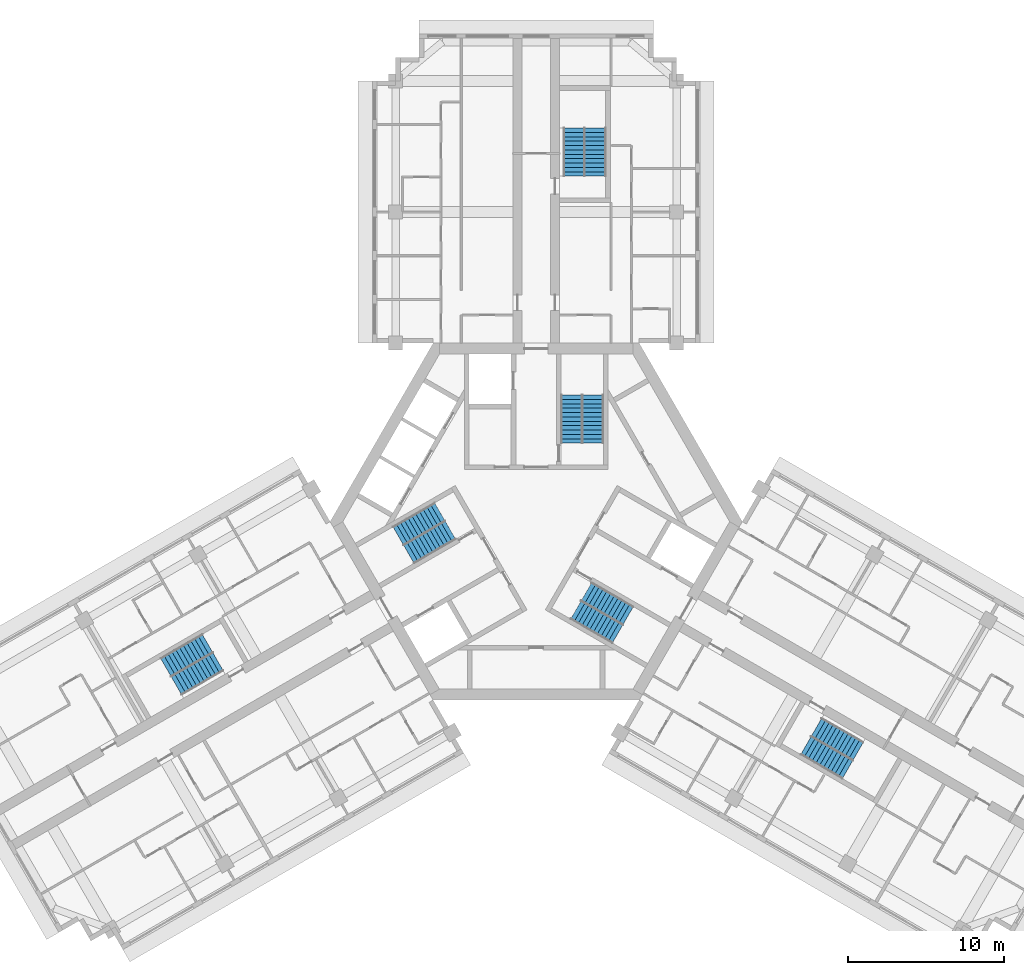
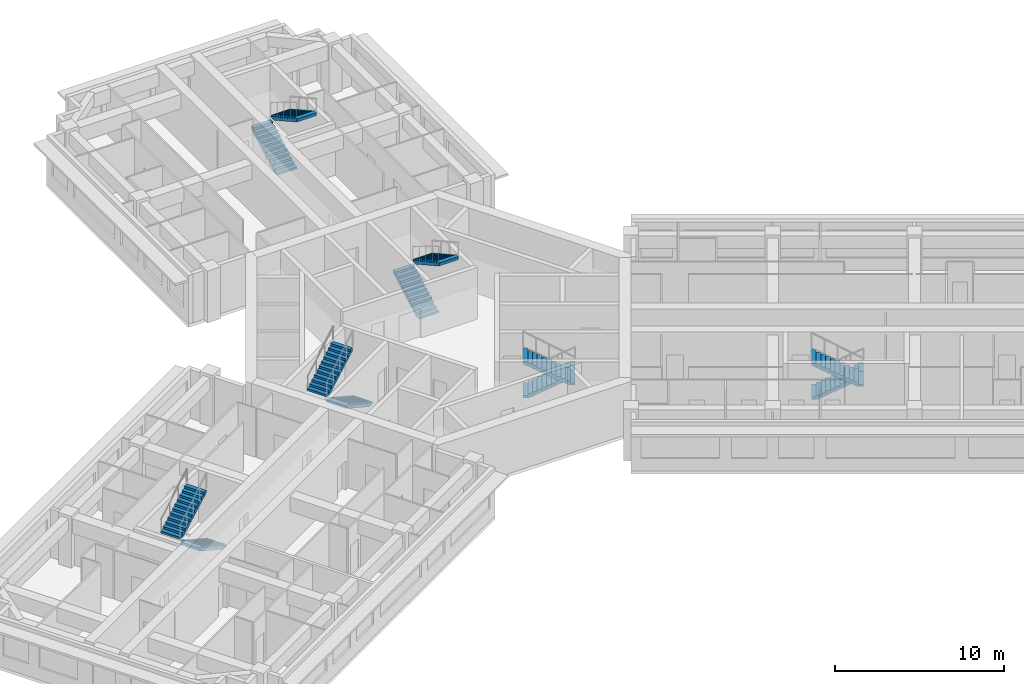
# One storey, part 10 of 11: 12 stair flights, 6 elements without a shape of their own.
"""IFC4 building model written with IfcOpenShell, lengths in metres."""

from ifc_helpers import new_model, si_unit, direction, frame, origin, place, context, subcontext, project, spatial, polyline, outline, extrude, material, type_object, element, aggregate, save


model = new_model("IFC4")

# Units and contexts
model_context = context("Model", 3, precision=1e-05, world=origin(), true_north=direction((0.0, 1.0)))
body_context = subcontext(model_context, "Body", "Model", "MODEL_VIEW")
ifc_project = project(units=[si_unit("LENGTHUNIT", "METRE"), si_unit("AREAUNIT", "SQUARE_METRE"), si_unit("VOLUMEUNIT", "CUBIC_METRE"), si_unit("PLANEANGLEUNIT", "RADIAN"), si_unit("MASSUNIT", "GRAM", prefix="KILO")], contexts=[model_context])

# Site, building, storey
site_placement = place(None, origin())
site = spatial("IfcSite", under=ifc_project, at=site_placement, CompositionType="ELEMENT")
building_placement = place(site_placement, origin())
building = spatial("IfcBuilding", under=site, at=building_placement, Name="Impinga Residences", CompositionType="ELEMENT")
storey_placement = place(building_placement, frame((0.0, 0.0, 203.5)))
storey = spatial("IfcBuildingStorey", under=building, at=storey_placement, Name="L50", CompositionType="ELEMENT", Elevation=203.5)

# Stair, stair flights
ifc_material = material(Name="Concrete C40/50", Category="concrete")
stair_type_1 = type_object("IfcStairType", Name="STR core stair 3750 storey, 24 risers", PredefinedType="HALF_TURN_STAIR", material=ifc_material)
stair_1_placement = place(storey_placement, origin())
stair_1 = element("IfcStair", 1, at=stair_1_placement, inside=storey, type_object=stair_type_1, Name="Stair ST1 L50", PredefinedType="HALF_TURN_STAIR")
stair_flight_type = type_object("IfcStairFlightType", Name="SF 12 risers of 156", PredefinedType="STRAIGHT", material=ifc_material)
stair_flight_1_placement = place(storey_placement, frame((2.27490234375, 5.030029296875, 0.0), z_axis=(0.0, 0.0, 1.0), x_axis=(0.0, 1.0, 0.0)))
stair_flight_1 = element("IfcStairFlight", 2, at=stair_flight_1_placement, type_object=stair_flight_type, Name="ST1 flight 1", NumberOfRisers=12, NumberOfTreads=11, PredefinedType="STRAIGHT", RiserHeight=0.15625, TreadLength=0.28, context=body_context, shape_type="SweptSolid", body=[
    extrude(outline(polyline([(0.0, 0.0), (0.0, 0.15625), (0.280029296875, 0.15625), (0.280029296875, 0.3125), (0.56005859375, 0.3125), (0.56005859375, 0.46875), (0.840087890625, 0.46875), (0.840087890625, 0.625), (1.1201171875, 0.625), (1.1201171875, 0.78125), (1.39990234375, 0.78125), (1.39990234375, 0.9375), (1.679931640625, 0.9375), (1.679931640625, 1.09375), (1.9599609375, 1.09375), (1.9599609375, 1.25), (2.239990234375, 1.25), (2.239990234375, 1.40625), (2.52001953125, 1.40625), (2.52001953125, 1.5625), (2.800048828125, 1.5625), (2.800048828125, 1.71875), (3.080078125, 1.71875), (3.080078125, 1.875), (3.080078125, 1.5126953125), (0.369140625, 0.0), (0.0, 0.0)])), frame((0.0, 0.675048828125, 0.0), z_axis=(0.0, -1.0, 0.0), x_axis=(1.0, 0.0, 0.0)), (0.0, 0.0, 1.0), 1.35009765625),
])
stair_flight_2_placement = place(storey_placement, frame((3.625, 8.110107421875, 1.875), z_axis=(0.0, 0.0, 1.0), x_axis=(0.0, -1.0, 0.0)))
stair_flight_2 = element("IfcStairFlight", 3, at=stair_flight_2_placement, type_object=stair_flight_type, Name="ST1 flight 2", NumberOfRisers=12, NumberOfTreads=11, PredefinedType="STRAIGHT", RiserHeight=0.15625, TreadLength=0.28, context=body_context, shape_type="SweptSolid", body=[
    extrude(outline(polyline([(0.0, 0.0), (0.0, 0.15625), (0.280029296875, 0.15625), (0.280029296875, 0.3125), (0.56005859375, 0.3125), (0.56005859375, 0.46875), (0.840087890625, 0.46875), (0.840087890625, 0.625), (1.1201171875, 0.625), (1.1201171875, 0.78125), (1.39990234375, 0.78125), (1.39990234375, 0.9375), (1.679931640625, 0.9375), (1.679931640625, 1.09375), (1.9599609375, 1.09375), (1.9599609375, 1.25), (2.239990234375, 1.25), (2.239990234375, 1.40625), (2.52001953125, 1.40625), (2.52001953125, 1.5625), (2.800048828125, 1.5625), (2.800048828125, 1.71875), (3.080078125, 1.71875), (3.080078125, 1.875), (3.080078125, 1.5126953125), (0.369140625, 0.0), (0.0, 0.0)])), frame((0.0, 0.675048828125, 0.0), z_axis=(0.0, -1.0, 0.0), x_axis=(1.0, 0.0, 0.0)), (0.0, 0.0, 1.0), 1.35009765625),
])
aggregate(stair_1, [stair_flight_1, stair_flight_2])

stair_2_placement = place(storey_placement, origin())
stair_2 = element("IfcStair", 4, at=stair_2_placement, inside=storey, type_object=stair_type_1, Name="Stair ST2 L50", PredefinedType="HALF_TURN_STAIR")
stair_flight_3_placement = place(storey_placement, frame((-5.49365234375, -0.544677734375, 0.0), z_axis=(0.0, 0.0, 1.0), x_axis=(-0.866025403784, -0.5, 0.0)))
stair_flight_3 = element("IfcStairFlight", 5, at=stair_flight_3_placement, type_object=stair_flight_type, Name="ST2 flight 1", NumberOfRisers=12, NumberOfTreads=11, PredefinedType="STRAIGHT", RiserHeight=0.15625, TreadLength=0.28, context=body_context, shape_type="SweptSolid", body=[
    extrude(outline(polyline([(0.0, 0.0), (0.0, 0.15625), (0.280029296875, 0.15625), (0.280029296875, 0.3125), (0.56005859375, 0.3125), (0.56005859375, 0.46875), (0.840087890625, 0.46875), (0.840087890625, 0.625), (1.1201171875, 0.625), (1.1201171875, 0.78125), (1.39990234375, 0.78125), (1.39990234375, 0.9375), (1.679931640625, 0.9375), (1.679931640625, 1.09375), (1.9599609375, 1.09375), (1.9599609375, 1.25), (2.239990234375, 1.25), (2.239990234375, 1.40625), (2.52001953125, 1.40625), (2.52001953125, 1.5625), (2.800048828125, 1.5625), (2.800048828125, 1.71875), (3.080078125, 1.71875), (3.080078125, 1.875), (3.080078125, 1.5126953125), (0.369140625, 0.0), (0.0, 0.0)])), frame((0.0, 0.675048828125, 0.0), z_axis=(0.0, -1.0, 0.0), x_axis=(1.0, 0.0, 0.0)), (0.0, 0.0, 1.0), 1.35009765625),
])
stair_flight_4_placement = place(storey_placement, frame((-8.8359375, -0.915771484375, 1.875), z_axis=(0.0, 0.0, 1.0), x_axis=(0.866025403784, 0.5, 0.0)))
stair_flight_4 = element("IfcStairFlight", 6, at=stair_flight_4_placement, type_object=stair_flight_type, Name="ST2 flight 2", NumberOfRisers=12, NumberOfTreads=11, PredefinedType="STRAIGHT", RiserHeight=0.15625, TreadLength=0.28, context=body_context, shape_type="SweptSolid", body=[
    extrude(outline(polyline([(0.0, 0.0), (0.0, 0.15625), (0.280029296875, 0.15625), (0.280029296875, 0.3125), (0.56005859375, 0.3125), (0.56005859375, 0.46875), (0.840087890625, 0.46875), (0.840087890625, 0.625), (1.1201171875, 0.625), (1.1201171875, 0.78125), (1.39990234375, 0.78125), (1.39990234375, 0.9375), (1.679931640625, 0.9375), (1.679931640625, 1.09375), (1.9599609375, 1.09375), (1.9599609375, 1.25), (2.239990234375, 1.25), (2.239990234375, 1.40625), (2.52001953125, 1.40625), (2.52001953125, 1.5625), (2.800048828125, 1.5625), (2.800048828125, 1.71875), (3.080078125, 1.71875), (3.080078125, 1.875), (3.080078125, 1.5126953125), (0.369140625, 0.0), (0.0, 0.0)])), frame((0.0, 0.675048828125, 0.0), z_axis=(0.0, -1.0, 0.0), x_axis=(1.0, 0.0, 0.0)), (0.0, 0.0, 1.0), 1.35009765625),
])
aggregate(stair_2, [stair_flight_3, stair_flight_4])

stair_3_placement = place(storey_placement, origin())
stair_3 = element("IfcStair", 7, at=stair_3_placement, inside=storey, type_object=stair_type_1, Name="Stair ST3 L50", PredefinedType="HALF_TURN_STAIR")
stair_flight_5_placement = place(storey_placement, frame((3.218505859375, -4.485107421875, 0.0), z_axis=(0.0, 0.0, 1.0), x_axis=(0.866025403784, -0.5, 0.0)))
stair_flight_5 = element("IfcStairFlight", 8, at=stair_flight_5_placement, type_object=stair_flight_type, Name="ST3 flight 1", NumberOfRisers=12, NumberOfTreads=11, PredefinedType="STRAIGHT", RiserHeight=0.15625, TreadLength=0.28, context=body_context, shape_type="SweptSolid", body=[
    extrude(outline(polyline([(0.0, 0.0), (0.0, 0.15625), (0.280029296875, 0.15625), (0.280029296875, 0.3125), (0.56005859375, 0.3125), (0.56005859375, 0.46875), (0.840087890625, 0.46875), (0.840087890625, 0.625), (1.1201171875, 0.625), (1.1201171875, 0.78125), (1.39990234375, 0.78125), (1.39990234375, 0.9375), (1.679931640625, 0.9375), (1.679931640625, 1.09375), (1.9599609375, 1.09375), (1.9599609375, 1.25), (2.239990234375, 1.25), (2.239990234375, 1.40625), (2.52001953125, 1.40625), (2.52001953125, 1.5625), (2.800048828125, 1.5625), (2.800048828125, 1.71875), (3.080078125, 1.71875), (3.080078125, 1.875), (3.080078125, 1.5126953125), (0.369140625, 0.0), (0.0, 0.0)])), frame((0.0, 0.675048828125, 0.0), z_axis=(0.0, -1.0, 0.0), x_axis=(1.0, 0.0, 0.0)), (0.0, 0.0, 1.0), 1.35009765625),
])
stair_flight_6_placement = place(storey_placement, frame((5.2109375, -7.1943359375, 1.875), z_axis=(0.0, 0.0, 1.0), x_axis=(-0.866025403784, 0.5, 0.0)))
stair_flight_6 = element("IfcStairFlight", 9, at=stair_flight_6_placement, type_object=stair_flight_type, Name="ST3 flight 2", NumberOfRisers=12, NumberOfTreads=11, PredefinedType="STRAIGHT", RiserHeight=0.15625, TreadLength=0.28, context=body_context, shape_type="SweptSolid", body=[
    extrude(outline(polyline([(0.0, 0.0), (0.0, 0.15625), (0.280029296875, 0.15625), (0.280029296875, 0.3125), (0.56005859375, 0.3125), (0.56005859375, 0.46875), (0.840087890625, 0.46875), (0.840087890625, 0.625), (1.1201171875, 0.625), (1.1201171875, 0.78125), (1.39990234375, 0.78125), (1.39990234375, 0.9375), (1.679931640625, 0.9375), (1.679931640625, 1.09375), (1.9599609375, 1.09375), (1.9599609375, 1.25), (2.239990234375, 1.25), (2.239990234375, 1.40625), (2.52001953125, 1.40625), (2.52001953125, 1.5625), (2.800048828125, 1.5625), (2.800048828125, 1.71875), (3.080078125, 1.71875), (3.080078125, 1.875), (3.080078125, 1.5126953125), (0.369140625, 0.0), (0.0, 0.0)])), frame((0.0, 0.675048828125, 0.0), z_axis=(0.0, -1.0, 0.0), x_axis=(1.0, 0.0, 0.0)), (0.0, 0.0, 1.0), 1.35009765625),
])
aggregate(stair_3, [stair_flight_5, stair_flight_6])

stair_type_2 = type_object("IfcStairType", Name="STR wing stair 3750 storey, 24 risers", PredefinedType="HALF_TURN_STAIR", material=ifc_material)
stair_4_placement = place(storey_placement, origin())
stair_4 = element("IfcStair", 10, at=stair_4_placement, inside=storey, type_object=stair_type_2, Name="Stair WS1 L50", PredefinedType="HALF_TURN_STAIR")
stair_flight_7_placement = place(storey_placement, frame((2.425048828125, 22.131591796875, 0.0), z_axis=(0.0, 0.0, 1.0), x_axis=(0.0, 1.0, 0.0)))
stair_flight_7 = element("IfcStairFlight", 11, at=stair_flight_7_placement, type_object=stair_flight_type, Name="WS1 flight 1", NumberOfRisers=12, NumberOfTreads=11, PredefinedType="STRAIGHT", RiserHeight=0.15625, TreadLength=0.28, context=body_context, shape_type="SweptSolid", body=[
    extrude(outline(polyline([(0.0, 0.0), (0.0, 0.15625), (0.280029296875, 0.15625), (0.280029296875, 0.3125), (0.56005859375, 0.3125), (0.56005859375, 0.46875), (0.840087890625, 0.46875), (0.840087890625, 0.625), (1.1201171875, 0.625), (1.1201171875, 0.78125), (1.39990234375, 0.78125), (1.39990234375, 0.9375), (1.679931640625, 0.9375), (1.679931640625, 1.09375), (1.9599609375, 1.09375), (1.9599609375, 1.25), (2.239990234375, 1.25), (2.239990234375, 1.40625), (2.52001953125, 1.40625), (2.52001953125, 1.5625), (2.800048828125, 1.5625), (2.800048828125, 1.71875), (3.080078125, 1.71875), (3.080078125, 1.875), (3.080078125, 1.5126953125), (0.369140625, 0.0), (0.0, 0.0)])), frame((0.0, 0.675048828125, 0.0), z_axis=(0.0, -1.0, 0.0), x_axis=(1.0, 0.0, 0.0)), (0.0, 0.0, 1.0), 1.35009765625),
])
stair_flight_8_placement = place(storey_placement, frame((3.77490234375, 25.21142578125, 1.875), z_axis=(0.0, 0.0, 1.0), x_axis=(0.0, -1.0, 0.0)))
stair_flight_8 = element("IfcStairFlight", 12, at=stair_flight_8_placement, type_object=stair_flight_type, Name="WS1 flight 2", NumberOfRisers=12, NumberOfTreads=11, PredefinedType="STRAIGHT", RiserHeight=0.15625, TreadLength=0.28, context=body_context, shape_type="SweptSolid", body=[
    extrude(outline(polyline([(0.0, 0.0), (0.0, 0.15625), (0.280029296875, 0.15625), (0.280029296875, 0.3125), (0.56005859375, 0.3125), (0.56005859375, 0.46875), (0.840087890625, 0.46875), (0.840087890625, 0.625), (1.1201171875, 0.625), (1.1201171875, 0.78125), (1.39990234375, 0.78125), (1.39990234375, 0.9375), (1.679931640625, 0.9375), (1.679931640625, 1.09375), (1.9599609375, 1.09375), (1.9599609375, 1.25), (2.239990234375, 1.25), (2.239990234375, 1.40625), (2.52001953125, 1.40625), (2.52001953125, 1.5625), (2.800048828125, 1.5625), (2.800048828125, 1.71875), (3.080078125, 1.71875), (3.080078125, 1.875), (3.080078125, 1.5126953125), (0.369140625, 0.0), (0.0, 0.0)])), frame((0.0, 0.675048828125, 0.0), z_axis=(0.0, -1.0, 0.0), x_axis=(1.0, 0.0, 0.0)), (0.0, 0.0, 1.0), 1.35009765625),
])
aggregate(stair_4, [stair_flight_7, stair_flight_8])

stair_5_placement = place(storey_placement, origin())
stair_5 = element("IfcStair", 13, at=stair_5_placement, inside=storey, type_object=stair_type_2, Name="Stair WS2 L50", PredefinedType="HALF_TURN_STAIR")
stair_flight_9_placement = place(storey_placement, frame((-20.37890625, -8.965576171875, 0.0), z_axis=(0.0, 0.0, 1.0), x_axis=(-0.866025403784, -0.5, 0.0)))
stair_flight_9 = element("IfcStairFlight", 14, at=stair_flight_9_placement, type_object=stair_flight_type, Name="WS2 flight 1", NumberOfRisers=12, NumberOfTreads=11, PredefinedType="STRAIGHT", RiserHeight=0.15625, TreadLength=0.28, context=body_context, shape_type="SweptSolid", body=[
    extrude(outline(polyline([(0.0, 0.0), (0.0, 0.15625), (0.280029296875, 0.15625), (0.280029296875, 0.3125), (0.56005859375, 0.3125), (0.56005859375, 0.46875), (0.840087890625, 0.46875), (0.840087890625, 0.625), (1.1201171875, 0.625), (1.1201171875, 0.78125), (1.39990234375, 0.78125), (1.39990234375, 0.9375), (1.679931640625, 0.9375), (1.679931640625, 1.09375), (1.9599609375, 1.09375), (1.9599609375, 1.25), (2.239990234375, 1.25), (2.239990234375, 1.40625), (2.52001953125, 1.40625), (2.52001953125, 1.5625), (2.800048828125, 1.5625), (2.800048828125, 1.71875), (3.080078125, 1.71875), (3.080078125, 1.875), (3.080078125, 1.5126953125), (0.369140625, 0.0), (0.0, 0.0)])), frame((0.0, 0.675048828125, 0.0), z_axis=(0.0, -1.0, 0.0), x_axis=(1.0, 0.0, 0.0)), (0.0, 0.0, 1.0), 1.35009765625),
])
stair_flight_10_placement = place(storey_placement, frame((-23.721435546875, -9.33642578125, 1.875), z_axis=(0.0, 0.0, 1.0), x_axis=(0.866025403784, 0.5, 0.0)))
stair_flight_10 = element("IfcStairFlight", 15, at=stair_flight_10_placement, type_object=stair_flight_type, Name="WS2 flight 2", NumberOfRisers=12, NumberOfTreads=11, PredefinedType="STRAIGHT", RiserHeight=0.15625, TreadLength=0.28, context=body_context, shape_type="SweptSolid", body=[
    extrude(outline(polyline([(0.0, 0.0), (0.0, 0.15625), (0.280029296875, 0.15625), (0.280029296875, 0.3125), (0.56005859375, 0.3125), (0.56005859375, 0.46875), (0.840087890625, 0.46875), (0.840087890625, 0.625), (1.1201171875, 0.625), (1.1201171875, 0.78125), (1.39990234375, 0.78125), (1.39990234375, 0.9375), (1.679931640625, 0.9375), (1.679931640625, 1.09375), (1.9599609375, 1.09375), (1.9599609375, 1.25), (2.239990234375, 1.25), (2.239990234375, 1.40625), (2.52001953125, 1.40625), (2.52001953125, 1.5625), (2.800048828125, 1.5625), (2.800048828125, 1.71875), (3.080078125, 1.71875), (3.080078125, 1.875), (3.080078125, 1.5126953125), (0.369140625, 0.0), (0.0, 0.0)])), frame((0.0, 0.675048828125, 0.0), z_axis=(0.0, -1.0, 0.0), x_axis=(1.0, 0.0, 0.0)), (0.0, 0.0, 1.0), 1.35009765625),
])
aggregate(stair_5, [stair_flight_9, stair_flight_10])

stair_6_placement = place(storey_placement, origin())
stair_6 = element("IfcStair", 16, at=stair_6_placement, inside=storey, type_object=stair_type_2, Name="Stair WS3 L50", PredefinedType="HALF_TURN_STAIR")
stair_flight_11_placement = place(storey_placement, frame((17.953857421875, -13.165771484375, 0.0), z_axis=(0.0, 0.0, 1.0), x_axis=(0.866025403784, -0.5, 0.0)))
stair_flight_11 = element("IfcStairFlight", 17, at=stair_flight_11_placement, type_object=stair_flight_type, Name="WS3 flight 1", NumberOfRisers=12, NumberOfTreads=11, PredefinedType="STRAIGHT", RiserHeight=0.15625, TreadLength=0.28, context=body_context, shape_type="SweptSolid", body=[
    extrude(outline(polyline([(0.0, 0.0), (0.0, 0.15625), (0.280029296875, 0.15625), (0.280029296875, 0.3125), (0.56005859375, 0.3125), (0.56005859375, 0.46875), (0.840087890625, 0.46875), (0.840087890625, 0.625), (1.1201171875, 0.625), (1.1201171875, 0.78125), (1.39990234375, 0.78125), (1.39990234375, 0.9375), (1.679931640625, 0.9375), (1.679931640625, 1.09375), (1.9599609375, 1.09375), (1.9599609375, 1.25), (2.239990234375, 1.25), (2.239990234375, 1.40625), (2.52001953125, 1.40625), (2.52001953125, 1.5625), (2.800048828125, 1.5625), (2.800048828125, 1.71875), (3.080078125, 1.71875), (3.080078125, 1.875), (3.080078125, 1.5126953125), (0.369140625, 0.0), (0.0, 0.0)])), frame((0.0, 0.675048828125, 0.0), z_axis=(0.0, -1.0, 0.0), x_axis=(1.0, 0.0, 0.0)), (0.0, 0.0, 1.0), 1.35009765625),
])
stair_flight_12_placement = place(storey_placement, frame((19.9462890625, -15.875, 1.875), z_axis=(0.0, 0.0, 1.0), x_axis=(-0.866025403784, 0.5, 0.0)))
stair_flight_12 = element("IfcStairFlight", 18, at=stair_flight_12_placement, type_object=stair_flight_type, Name="WS3 flight 2", NumberOfRisers=12, NumberOfTreads=11, PredefinedType="STRAIGHT", RiserHeight=0.15625, TreadLength=0.28, context=body_context, shape_type="SweptSolid", body=[
    extrude(outline(polyline([(0.0, 0.0), (0.0, 0.15625), (0.280029296875, 0.15625), (0.280029296875, 0.3125), (0.56005859375, 0.3125), (0.56005859375, 0.46875), (0.840087890625, 0.46875), (0.840087890625, 0.625), (1.1201171875, 0.625), (1.1201171875, 0.78125), (1.39990234375, 0.78125), (1.39990234375, 0.9375), (1.679931640625, 0.9375), (1.679931640625, 1.09375), (1.9599609375, 1.09375), (1.9599609375, 1.25), (2.239990234375, 1.25), (2.239990234375, 1.40625), (2.52001953125, 1.40625), (2.52001953125, 1.5625), (2.800048828125, 1.5625), (2.800048828125, 1.71875), (3.080078125, 1.71875), (3.080078125, 1.875), (3.080078125, 1.5126953125), (0.369140625, 0.0), (0.0, 0.0)])), frame((0.0, 0.675048828125, 0.0), z_axis=(0.0, -1.0, 0.0), x_axis=(1.0, 0.0, 0.0)), (0.0, 0.0, 1.0), 1.35009765625),
])
aggregate(stair_6, [stair_flight_11, stair_flight_12])

save(model, "model.ifc")
